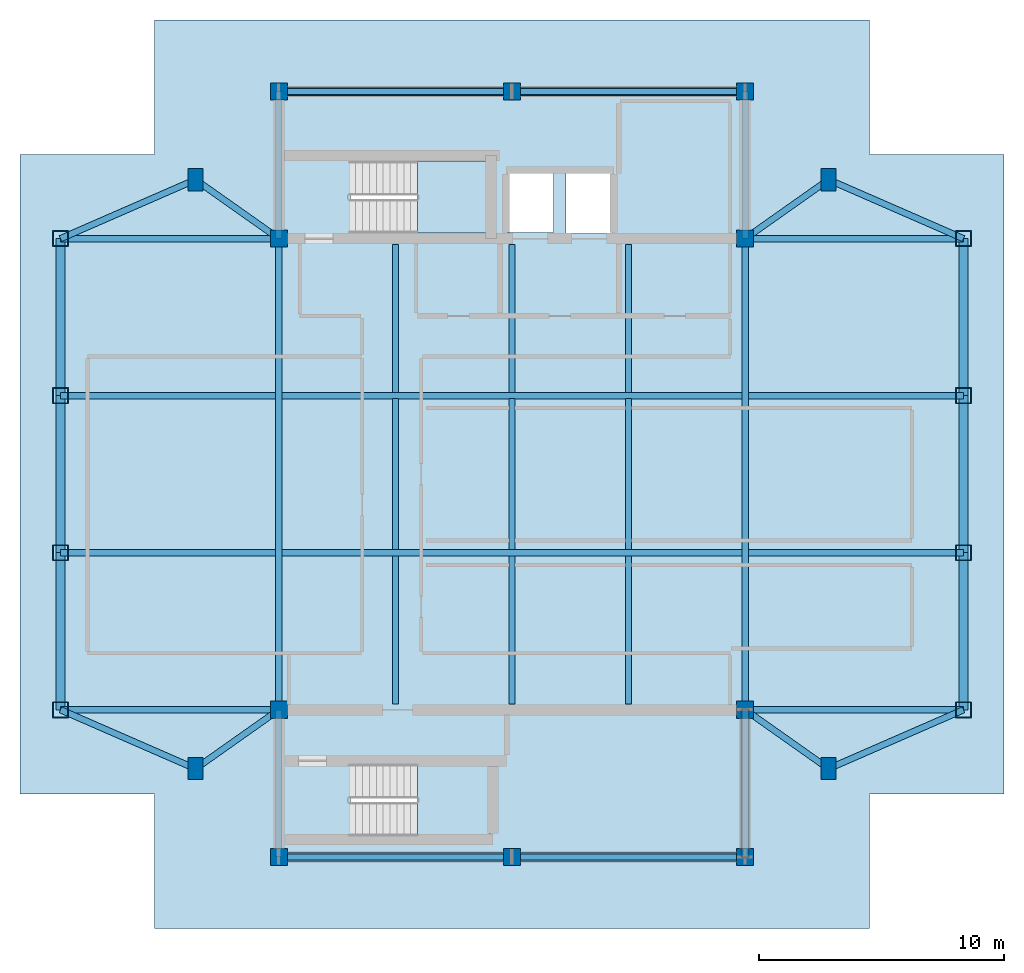
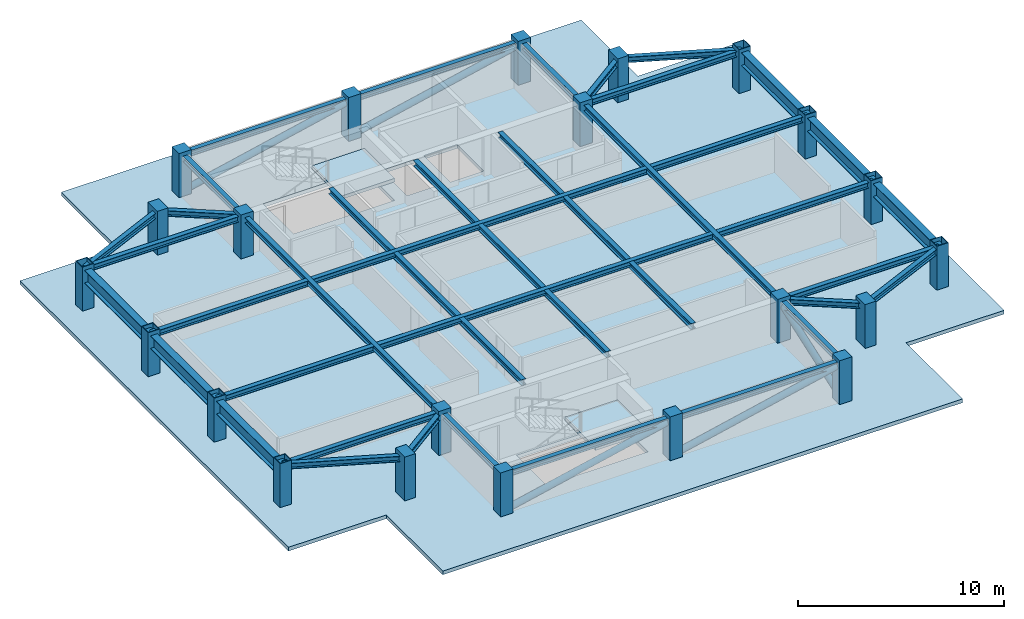
# One storey, part 1 of 4: 43 beams, 22 columns, 5 members, 3 slabs, 2 elements without a shape of their own.
"""IFC4 building model written with IfcOpenShell, lengths in metres."""

import ifcopenshell
import ifcopenshell.guid

model = None  # the IFC model being written
_history = None  # IfcOwnerHistory: only IFC2X3 demands one
_inside = {}  # id of a spatial element -> (the spatial element, [elements in it])
_under = {}  # id of a project, library or spatial element -> (it, [spatial elements below it])
_declared = {}  # id of a project -> (the project, [libraries it declares])
_typed = {}  # id of a type object -> (the type object, [elements of that type])
_made_of = {}  # id of a material, layer set ... -> (it, [elements and type objects made of it])


def new_model(schema):
    """Start an empty IFC model of exactly this schema.

    Asked for "IFC4X3", IfcOpenShell would pick the latest addendum, in which some entities
    have other attributes; the version numbers below select the first issue.
    IFC2X3 requires an IfcOwnerHistory on every rooted entity: one is made here for all.
    """
    global model, _history
    if schema == "IFC4X3":
        model = ifcopenshell.file(schema_version=(4, 3, 0, 0))
    else:
        model = ifcopenshell.file(schema=schema)
    _inside.clear()
    _under.clear()
    _declared.clear()
    _typed.clear()
    _made_of.clear()
    _history = None
    if model.schema == "IFC2X3":
        org = make("IfcOrganization", Name="unknown")
        user = make(
            "IfcPersonAndOrganization",
            ThePerson=make("IfcPerson", FamilyName="unknown"),
            TheOrganization=org,
        )
        app = make(
            "IfcApplication",
            ApplicationDeveloper=org,
            Version="unknown",
            ApplicationFullName="unknown",
            ApplicationIdentifier="unknown",
        )
        _history = make(
            "IfcOwnerHistory",
            OwningUser=user,
            OwningApplication=app,
            ChangeAction="ADDED",
            CreationDate=0,
        )
    return model


def make(cls, **values):
    """One entity of the class cls with the attributes given. An attribute that is None is left unset."""
    return model.create_entity(
        cls, **{name: value for name, value in values.items() if value is not None}
    )


def rooted(cls, **values):
    """An entity with a GlobalId (a new one), such as an element, a storey or a relation."""
    return make(cls, GlobalId=ifcopenshell.guid.new(), OwnerHistory=_history, **values)


def si_unit(unit_type, name, prefix=None):
    """IfcSIUnit, for example si_unit("LENGTHUNIT", "METRE", prefix="MILLI")."""
    return make("IfcSIUnit", UnitType=unit_type, Prefix=prefix, Name=name)


def assignment(units):
    """IfcUnitAssignment: the units of a project."""
    return None if units is None else make("IfcUnitAssignment", Units=units)


def point(xyz):
    """IfcCartesianPoint."""
    return None if xyz is None else make("IfcCartesianPoint", Coordinates=xyz)


def direction(xyz):
    """IfcDirection."""
    return None if xyz is None else make("IfcDirection", DirectionRatios=xyz)


def frame(location, z_axis=None, x_axis=None):
    """IfcAxis2Placement3D, a coordinate frame: its origin and axes. An axis left out is left unset."""
    return make(
        "IfcAxis2Placement3D",
        Location=point(location),
        Axis=direction(z_axis),
        RefDirection=direction(x_axis),
    )


def frame_2d(location, x_axis=None):
    """IfcAxis2Placement2D, a coordinate frame in the plane: its origin and x axis."""
    return make(
        "IfcAxis2Placement2D", Location=point(location), RefDirection=direction(x_axis)
    )


def origin():
    """The frame at (0, 0, 0) with its axes left unset."""
    return frame((0.0, 0.0, 0.0))


def origin_2d():
    """The frame at (0, 0) in the plane with its x axis left unset."""
    return frame_2d((0.0, 0.0))


def place(relative_to, where):
    """IfcLocalPlacement: puts the frame where relative to a parent placement (None: the world)."""
    return make(
        "IfcLocalPlacement", PlacementRelTo=relative_to, RelativePlacement=where
    )


def context(
    kind, dimensions, precision=None, world=None, true_north=None, identifier=None
):
    """IfcGeometricRepresentationContext, for example the 3D "Model" context."""
    return make(
        "IfcGeometricRepresentationContext",
        ContextIdentifier=identifier,
        ContextType=kind,
        CoordinateSpaceDimension=dimensions,
        Precision=precision,
        WorldCoordinateSystem=world,
        TrueNorth=true_north,
    )


def subcontext(parent, identifier, kind, view, scale=None):
    """IfcGeometricRepresentationSubContext, for example "Body" below "Model"."""
    return make(
        "IfcGeometricRepresentationSubContext",
        ContextIdentifier=identifier,
        ContextType=kind,
        ParentContext=parent,
        TargetScale=scale,
        TargetView=view,
    )


def project(units=None, contexts=None):
    """IfcProject with its units and contexts."""
    return rooted(
        "IfcProject",
        Name="project",
        RepresentationContexts=contexts,
        UnitsInContext=assignment(units),
    )


def spatial(cls, under=None, at=None, **own):
    """A site, building, storey or space (cls), placed at a placement, below another one or the project."""
    s = rooted(cls, ObjectPlacement=at, **own)
    if under is not None:
        _under.setdefault(under.id(), (under, []))[1].append(s)
    return s


def polyline(points):
    """IfcPolyline through the points."""
    return make("IfcPolyline", Points=[point(p) for p in points])


def profile(cls, at=None, kind="AREA", **sizes):
    """A parametric profile (cls). Its sizes go by their IFC names, for example OverallWidth=200.0."""
    return make(cls, ProfileType=kind, Position=at, **sizes)


def rectangle(**sizes):
    """IfcRectangleProfileDef."""
    return profile("IfcRectangleProfileDef", **sizes)


def hollow_rectangle(**sizes):
    """IfcRectangleHollowProfileDef."""
    return profile("IfcRectangleHollowProfileDef", **sizes)


def hollow_circle(**sizes):
    """IfcCircleHollowProfileDef."""
    return profile("IfcCircleHollowProfileDef", **sizes)


def i_section(**sizes):
    """IfcIShapeProfileDef."""
    return profile("IfcIShapeProfileDef", **sizes)


def outline(outer, holes=None, kind="AREA"):
    """IfcArbitraryClosedProfileDef: a profile drawn as a closed curve; with holes, ...WithVoids."""
    if holes is None:
        return make("IfcArbitraryClosedProfileDef", ProfileType=kind, OuterCurve=outer)
    return make(
        "IfcArbitraryProfileDefWithVoids",
        ProfileType=kind,
        OuterCurve=outer,
        InnerCurves=holes,
    )


def extrude(swept, where, along, depth):
    """IfcExtrudedAreaSolid: the profile swept, set in the frame where, extruded along a direction by depth."""
    return make(
        "IfcExtrudedAreaSolid",
        SweptArea=swept,
        Position=where,
        ExtrudedDirection=direction(along),
        Depth=depth,
    )


def shape(context_of_items, identifier, shape_type, items):
    """IfcShapeRepresentation: the items that make up one representation, for example the "Body"."""
    return make(
        "IfcShapeRepresentation",
        ContextOfItems=context_of_items,
        RepresentationIdentifier=identifier,
        RepresentationType=shape_type,
        Items=items,
    )


def material(Name=None, Category=None):
    """IfcMaterial."""
    return make("IfcMaterial", Name=Name, Category=Category)


def layer(
    of_material, thickness, ventilated=None, Name=None, Category=None, Priority=None
):
    """IfcMaterialLayer: one layer of a wall or slab, of a material (None: an air gap)."""
    return make(
        "IfcMaterialLayer",
        Material=of_material,
        LayerThickness=thickness,
        IsVentilated=ventilated,
        Name=Name,
        Category=Category,
        Priority=Priority,
    )


def layer_set(layers, Name=None):
    """IfcMaterialLayerSet."""
    return make("IfcMaterialLayerSet", MaterialLayers=layers, LayerSetName=Name)


def material_profile(
    of_material, cross_section, Name=None, Category=None, Priority=None
):
    """IfcMaterialProfile: a cross section and its material."""
    return make(
        "IfcMaterialProfile",
        Name=Name,
        Material=of_material,
        Profile=cross_section,
        Priority=Priority,
        Category=Category,
    )


def profile_set(profiles, Name=None, composite=None):
    """IfcMaterialProfileSet."""
    return make(
        "IfcMaterialProfileSet",
        Name=Name,
        MaterialProfiles=profiles,
        CompositeProfile=composite,
    )


def made_of(thing, what):
    """Note that an element or type object is made of a material, layer set ...; save() writes the relation."""
    if what is not None:
        _made_of.setdefault(what.id(), (what, []))[1].append(thing)
    return thing


def type_object(cls, material=None, **own):
    """A type object (cls), such as IfcWallType, which elements share."""
    return made_of(rooted(cls, **own), material)


def element(
    cls,
    number,
    at=None,
    inside=None,
    cuts=None,
    type_object=None,
    material=None,
    context=None,
    identifier="Body",
    shape_type=None,
    held_by="IfcProductDefinitionShape",
    body=None,
    shapes=None,
    **own,
):
    """One element of the class cls, such as IfcWall. Its Tag is "e" and its number.

    at: its placement. inside: the storey or other place that contains it. cuts: it is an
    opening in that element (IfcRelVoidsElement). A single representation is given by context,
    identifier, shape_type and body (its items); several are given by shapes. held_by: the class
    of the entity that holds the representations. save() writes the other relations.
    """
    e = rooted(cls, Tag="e%d" % number, ObjectPlacement=at, **own)
    if body is not None:
        shapes = [shape(context, identifier, shape_type, body)]
    if shapes is not None:
        e.Representation = make(held_by, Representations=shapes)
    if inside is not None:
        _inside.setdefault(inside.id(), (inside, []))[1].append(e)
    if cuts is not None:
        rooted(
            "IfcRelVoidsElement", RelatingBuildingElement=cuts, RelatedOpeningElement=e
        )
    if type_object is not None:
        _typed.setdefault(type_object.id(), (type_object, []))[1].append(e)
    return made_of(e, material)


def aggregate(whole, parts):
    """IfcRelAggregates: a whole, such as a stair, and the parts it consists of."""
    return rooted("IfcRelAggregates", RelatingObject=whole, RelatedObjects=parts)


def save(model, path):
    """Write the relations noted so far, then the file.

    IfcRelAggregates (storeys below a building ...), IfcRelContainedInSpatialStructure (elements
    in a storey), IfcRelDefinesByType, IfcRelAssociatesMaterial and IfcRelDeclares: one each for
    every whole, place, type object, material and project.
    """
    for whole, parts in _under.values():
        aggregate(whole, parts)
    for where, things in _inside.values():
        rooted(
            "IfcRelContainedInSpatialStructure",
            RelatedElements=things,
            RelatingStructure=where,
        )
    for kind, things in _typed.values():
        rooted("IfcRelDefinesByType", RelatedObjects=things, RelatingType=kind)
    for what, things in _made_of.values():
        rooted("IfcRelAssociatesMaterial", RelatedObjects=things, RelatingMaterial=what)
    for by, libraries in _declared.values():
        rooted("IfcRelDeclares", RelatingContext=by, RelatedDefinitions=libraries)
    model.write(path)


model = new_model("IFC4")

# Units and contexts
model_context = context("Model", 3, precision=1e-05, world=origin(), true_north=direction((0.0, 1.0)))
body_context = subcontext(model_context, "Body", "Model", "MODEL_VIEW")
ifc_project = project(units=[si_unit("LENGTHUNIT", "METRE"), si_unit("AREAUNIT", "SQUARE_METRE"), si_unit("VOLUMEUNIT", "CUBIC_METRE"), si_unit("PLANEANGLEUNIT", "RADIAN"), si_unit("MASSUNIT", "GRAM", prefix="KILO")], contexts=[model_context])

# Site, building, storey
site_placement = place(None, origin())
site = spatial("IfcSite", under=ifc_project, at=site_placement, CompositionType="ELEMENT")
building_placement = place(site_placement, origin())
building = spatial("IfcBuilding", under=site, at=building_placement, Name="Mirazonda Arch Towers", CompositionType="ELEMENT")
storey_placement = place(building_placement, frame((0.0, 0.0, 266.10009765625)))
storey = spatial("IfcBuildingStorey", under=building, at=storey_placement, Name="L76", CompositionType="ELEMENT", Elevation=266.10009765625)

# Columns
ifc_material_1 = material(Name="Concrete C50/60", Category="concrete")
ifc_material_profile_1 = material_profile(ifc_material_1, rectangle(XDim=0.699951171875, YDim=0.699951171875, at=origin_2d()), Name="RC700x700")
ifc_profile_set_1 = profile_set([ifc_material_profile_1], Name="Concrete C50/60")
column_type_1 = type_object("IfcColumnType", Name="COL-INT-RC700x700", PredefinedType="COLUMN", material=ifc_profile_set_1)
for number, where, z_axis, x_axis, name in (
    (1, (11.0, 12.39990234375, 0.0), (0.0, 0.0, 1.0), (1.0, 0.0, 0.0), "L76 T1 Core Column 01"),
    (2, (20.5, 12.39990234375, 0.0), (0.0, 0.0, 1.0), (1.0, 0.0, 0.0), "L76 T1 Core Column 02"),
    (3, (30.0, 12.39990234375, 0.0), (0.0, 0.0, 1.0), (1.0, 0.0, 0.0), "L76 T1 Core Column 03"),
    (4, (11.0, 18.39990234375, 0.0), (0.0, 0.0, 1.0), (1.0, 0.0, 0.0), "L76 T1 Core Column 04"),
    (5, (30.0, 18.39990234375, 0.0), (0.0, 0.0, 1.0), (1.0, 0.0, 0.0), "L76 T1 Core Column 05"),
    (6, (11.0, 37.60009765625, 0.0), (0.0, 0.0, 1.0), (1.0, 0.0, 0.0), "L76 T1 Core Column 06"),
    (7, (30.0, 37.60009765625, 0.0), (0.0, 0.0, 1.0), (1.0, 0.0, 0.0), "L76 T1 Core Column 07"),
    (8, (11.0, 43.60009765625, 0.0), (0.0, 0.0, 1.0), (1.0, 0.0, 0.0), "L76 T1 Core Column 08"),
    (9, (20.5, 43.60009765625, 0.0), (0.0, 0.0, 1.0), (1.0, 0.0, 0.0), "L76 T1 Core Column 09"),
    (10, (30.0, 43.60009765625, 0.0), (0.0, 0.0, 1.0), (1.0, 0.0, 0.0), "L76 T1 Core Column 10"),
):
    element("IfcColumn", number, at=place(storey_placement, frame(where, z_axis=z_axis, x_axis=x_axis)), inside=storey, type_object=column_type_1, Name=name, PredefinedType="COLUMN", context=body_context, shape_type="SweptSolid", body=[
        extrude(rectangle(XDim=0.699951171875, YDim=0.699951171875, at=origin_2d()), origin(), (0.0, 0.0, 1.0), 2.599853515625),
    ])
ifc_material_2 = material(Name="Steel ASTM A572 Grade 50", Category="steel")
ifc_material_profile_2 = material_profile(ifc_material_2, hollow_rectangle(XDim=0.64990234375, YDim=0.64990234375, WallThickness=0.035888671875, at=origin_2d()), Name="BOX650x650x36")
ifc_profile_set_2 = profile_set([ifc_material_profile_2], Name="Steel ASTM A572 Grade 50")
column_type_2 = type_object("IfcColumnType", Name="MCOL-EXT-BOX650x650x36", PredefinedType="COLUMN", material=ifc_profile_set_2)
for number, where, z_axis, x_axis, name in (
    (11, (2.10009765625, 18.39990234375, 0.0), (0.0, 0.0, 1.0), (1.0, 0.0, 0.0), "L76 T1 Composite Mega-Column 01"),
    (12, (2.10009765625, 24.800048828125, 0.0), (0.0, 0.0, 1.0), (1.0, 0.0, 0.0), "L76 T1 Composite Mega-Column 02"),
    (13, (2.10009765625, 31.199951171875, 0.0), (0.0, 0.0, 1.0), (1.0, 0.0, 0.0), "L76 T1 Composite Mega-Column 03"),
    (14, (2.10009765625, 37.60009765625, 0.0), (0.0, 0.0, 1.0), (1.0, 0.0, 0.0), "L76 T1 Composite Mega-Column 04"),
    (15, (38.89990234375, 18.39990234375, 0.0), (0.0, 0.0, 1.0), (1.0, 0.0, 0.0), "L76 T1 Composite Mega-Column 05"),
    (16, (38.89990234375, 24.800048828125, 0.0), (0.0, 0.0, 1.0), (1.0, 0.0, 0.0), "L76 T1 Composite Mega-Column 06"),
    (17, (38.89990234375, 31.199951171875, 0.0), (0.0, 0.0, 1.0), (1.0, 0.0, 0.0), "L76 T1 Composite Mega-Column 07"),
    (18, (38.89990234375, 37.60009765625, 0.0), (0.0, 0.0, 1.0), (1.0, 0.0, 0.0), "L76 T1 Composite Mega-Column 08"),
):
    element("IfcColumn", number, at=place(storey_placement, frame(where, z_axis=z_axis, x_axis=x_axis)), inside=storey, type_object=column_type_2, Name=name, PredefinedType="COLUMN", context=body_context, shape_type="SweptSolid", body=[
        extrude(hollow_rectangle(XDim=0.64990234375, YDim=0.64990234375, WallThickness=0.035888671875, at=origin_2d()), origin(), (0.0, 0.0, 1.0), 2.599853515625),
    ])
ifc_material_profile_3 = material_profile(ifc_material_1, rectangle(XDim=0.60009765625, YDim=0.89990234375, at=origin_2d()), Name="RC900x600")
ifc_profile_set_3 = profile_set([ifc_material_profile_3], Name="Concrete C50/60")
column_type_3 = type_object("IfcColumnType", Name="PIL-EXT-RC900x600", PredefinedType="PILASTER", material=ifc_profile_set_3)
for number, where, z_axis, x_axis, name in (
    (19, (7.60009765625, 16.0, 0.0), (0.0, 0.0, 1.0), (1.0, 0.0, 0.0), "L76 T1 Corner Pilaster 01"),
    (20, (33.39990234375, 16.0, 0.0), (0.0, 0.0, 1.0), (1.0, 0.0, 0.0), "L76 T1 Corner Pilaster 02"),
    (21, (7.60009765625, 40.0, 0.0), (0.0, 0.0, 1.0), (1.0, 0.0, 0.0), "L76 T1 Corner Pilaster 03"),
    (22, (33.39990234375, 40.0, 0.0), (0.0, 0.0, 1.0), (1.0, 0.0, 0.0), "L76 T1 Corner Pilaster 04"),
):
    element("IfcColumn", number, at=place(storey_placement, frame(where, z_axis=z_axis, x_axis=x_axis)), inside=storey, type_object=column_type_3, Name=name, PredefinedType="PILASTER", context=body_context, shape_type="SweptSolid", body=[
        extrude(rectangle(XDim=0.60009765625, YDim=0.89990234375, at=origin_2d()), origin(), (0.0, 0.0, 1.0), 2.599853515625),
    ])

# Beams
ifc_material_3 = material(Name="Steel ASTM A992 Grade 50", Category="steel")
ifc_material_profile_4 = material_profile(ifc_material_3, i_section(OverallWidth=0.381103515625, OverallDepth=0.77294921875, WebThickness=0.0166015625, FlangeThickness=0.027099609375, at=origin_2d()), Name="W30X173")
ifc_profile_set_4 = profile_set([ifc_material_profile_4], Name="Steel ASTM A992 Grade 50")
beam_type_1 = type_object("IfcBeamType", Name="BM-EXT-W30X173", PredefinedType="USERDEFINED", material=ifc_profile_set_4)
beam_1_placement = place(storey_placement, frame((2.10009765625, 18.39990234375, 1.993408203125), z_axis=(0.0, 1.0, 0.0), x_axis=(-1.0, 0.0, 0.0)))
element("IfcBeam", 23, at=beam_1_placement, inside=storey, type_object=beam_type_1, Name="L76 Floor Beam BMC-T1-L76-NS-W-18", ObjectType="GIRDER", PredefinedType="USERDEFINED", context=body_context, shape_type="SweptSolid", body=[
    extrude(i_section(OverallWidth=0.381103515625, OverallDepth=0.77294921875, WebThickness=0.0166015625, FlangeThickness=0.027099609375, at=origin_2d()), origin(), (0.0, 0.0, 1.0), 6.400146484375),
])
beam_2_placement = place(storey_placement, frame((2.10009765625, 24.800048828125, 1.993408203125), z_axis=(0.0, 1.0, 0.0), x_axis=(-1.0, 0.0, 0.0)))
element("IfcBeam", 24, at=beam_2_placement, inside=storey, type_object=beam_type_1, Name="L76 Floor Beam BMC-T1-L76-NS-W-24", ObjectType="GIRDER", PredefinedType="USERDEFINED", context=body_context, shape_type="SweptSolid", body=[
    extrude(i_section(OverallWidth=0.381103515625, OverallDepth=0.77294921875, WebThickness=0.0166015625, FlangeThickness=0.027099609375, at=origin_2d()), origin(), (0.0, 0.0, 1.0), 6.39990234375),
])
for number, where, z_axis, x_axis, name in (
    (25, (2.10009765625, 31.199951171875, 1.993408203125), (0.0, 1.0, 0.0), (-1.0, 0.0, 0.0), "L76 Floor Beam BMC-T1-L76-NS-W-31"),
    (26, (38.89990234375, 18.39990234375, 1.993408203125), (0.0, 1.0, 0.0), (-1.0, 0.0, 0.0), "L76 Floor Beam BMC-T1-L76-NS-E-18"),
):
    element("IfcBeam", number, at=place(storey_placement, frame(where, z_axis=z_axis, x_axis=x_axis)), inside=storey, type_object=beam_type_1, Name=name, ObjectType="GIRDER", PredefinedType="USERDEFINED", context=body_context, shape_type="SweptSolid", body=[
        extrude(i_section(OverallWidth=0.381103515625, OverallDepth=0.77294921875, WebThickness=0.0166015625, FlangeThickness=0.027099609375, at=origin_2d()), origin(), (0.0, 0.0, 1.0), 6.400146484375),
    ])
beam_3_placement = place(storey_placement, frame((38.89990234375, 24.800048828125, 1.993408203125), z_axis=(0.0, 1.0, 0.0), x_axis=(-1.0, 0.0, 0.0)))
element("IfcBeam", 27, at=beam_3_placement, inside=storey, type_object=beam_type_1, Name="L76 Floor Beam BMC-T1-L76-NS-E-24", ObjectType="GIRDER", PredefinedType="USERDEFINED", context=body_context, shape_type="SweptSolid", body=[
    extrude(i_section(OverallWidth=0.381103515625, OverallDepth=0.77294921875, WebThickness=0.0166015625, FlangeThickness=0.027099609375, at=origin_2d()), origin(), (0.0, 0.0, 1.0), 6.39990234375),
])
beam_4_placement = place(storey_placement, frame((38.89990234375, 31.199951171875, 1.993408203125), z_axis=(0.0, 1.0, 0.0), x_axis=(-1.0, 0.0, 0.0)))
element("IfcBeam", 28, at=beam_4_placement, inside=storey, type_object=beam_type_1, Name="L76 Floor Beam BMC-T1-L76-NS-E-31", ObjectType="GIRDER", PredefinedType="USERDEFINED", context=body_context, shape_type="SweptSolid", body=[
    extrude(i_section(OverallWidth=0.381103515625, OverallDepth=0.77294921875, WebThickness=0.0166015625, FlangeThickness=0.027099609375, at=origin_2d()), origin(), (0.0, 0.0, 1.0), 6.400146484375),
])
ifc_material_profile_5 = material_profile(ifc_material_3, i_section(OverallWidth=0.257080078125, OverallDepth=0.330078125, WebThickness=0.011962890625, FlangeThickness=0.01953125, at=origin_2d()), Name="W10X68")
ifc_profile_set_5 = profile_set([ifc_material_profile_5], Name="Steel ASTM A992 Grade 50")
beam_type_2 = type_object("IfcBeamType", Name="BM-INT-W10X68", PredefinedType="BEAM", material=ifc_profile_set_5)
for number, where, z_axis, x_axis, name in (
    (29, (2.10009765625, 37.60009765625, 2.21484375), (1.0, 0.0, 0.0), (0.0, 1.0, 0.0), "L76 Floor Beam CBC-T1-L76-NW"),
    (30, (30.0, 37.60009765625, 2.21484375), (1.0, 0.0, 0.0), (0.0, 1.0, 0.0), "L76 Floor Beam CBC-T1-L76-NE"),
    (31, (2.10009765625, 18.39990234375, 2.21484375), (1.0, 0.0, 0.0), (0.0, 1.0, 0.0), "L76 Floor Beam CBC-T1-L76-SW"),
    (32, (30.0, 18.39990234375, 2.21484375), (1.0, 0.0, 0.0), (0.0, 1.0, 0.0), "L76 Floor Beam CBC-T1-L76-SE"),
):
    element("IfcBeam", number, at=place(storey_placement, frame(where, z_axis=z_axis, x_axis=x_axis)), inside=storey, type_object=beam_type_2, Name=name, PredefinedType="BEAM", context=body_context, shape_type="SweptSolid", body=[
        extrude(i_section(OverallWidth=0.257080078125, OverallDepth=0.330078125, WebThickness=0.011962890625, FlangeThickness=0.01953125, at=origin_2d()), origin(), (0.0, 0.0, 1.0), 8.89990234375),
    ])
beam_5_placement = place(storey_placement, frame((11.12841796875, 24.800048828125, 2.21484375), z_axis=(1.0, 0.0, 0.0), x_axis=(0.0, 1.0, 0.0)))
element("IfcBeam", 33, at=beam_5_placement, inside=storey, type_object=beam_type_2, Name="L76 Floor Beam BMC-T1-L76-GC2", PredefinedType="BEAM", context=body_context, shape_type="SweptSolid", body=[
    extrude(i_section(OverallWidth=0.257080078125, OverallDepth=0.330078125, WebThickness=0.011962890625, FlangeThickness=0.01953125, at=origin_2d()), origin(), (0.0, 0.0, 1.0), 18.7431640625),
])
for number, where, z_axis, x_axis, name in (
    (34, (2.10009765625, 24.800048828125, 2.21484375), (1.0, 0.0, 0.0), (0.0, 1.0, 0.0), "L76 Floor Beam BMC-T1-L76-GW2"),
    (35, (30.12841796875, 24.800048828125, 2.21484375), (1.0, 0.0, 0.0), (0.0, 1.0, 0.0), "L76 Floor Beam BMC-T1-L76-GE2"),
):
    element("IfcBeam", number, at=place(storey_placement, frame(where, z_axis=z_axis, x_axis=x_axis)), inside=storey, type_object=beam_type_2, Name=name, PredefinedType="BEAM", context=body_context, shape_type="SweptSolid", body=[
        extrude(i_section(OverallWidth=0.257080078125, OverallDepth=0.330078125, WebThickness=0.011962890625, FlangeThickness=0.01953125, at=origin_2d()), origin(), (0.0, 0.0, 1.0), 8.771484375),
    ])
beam_6_placement = place(storey_placement, frame((11.12841796875, 31.199951171875, 2.21484375), z_axis=(1.0, 0.0, 0.0), x_axis=(0.0, 1.0, 0.0)))
element("IfcBeam", 36, at=beam_6_placement, inside=storey, type_object=beam_type_2, Name="L76 Floor Beam BMC-T1-L76-GC3", PredefinedType="BEAM", context=body_context, shape_type="SweptSolid", body=[
    extrude(i_section(OverallWidth=0.257080078125, OverallDepth=0.330078125, WebThickness=0.011962890625, FlangeThickness=0.01953125, at=origin_2d()), origin(), (0.0, 0.0, 1.0), 18.7431640625),
])
for number, where, z_axis, x_axis, name in (
    (37, (2.10009765625, 31.199951171875, 2.21484375), (1.0, 0.0, 0.0), (0.0, 1.0, 0.0), "L76 Floor Beam BMC-T1-L76-GW3"),
    (38, (30.12841796875, 31.199951171875, 2.21484375), (1.0, 0.0, 0.0), (0.0, 1.0, 0.0), "L76 Floor Beam BMC-T1-L76-GE3"),
):
    element("IfcBeam", number, at=place(storey_placement, frame(where, z_axis=z_axis, x_axis=x_axis)), inside=storey, type_object=beam_type_2, Name=name, PredefinedType="BEAM", context=body_context, shape_type="SweptSolid", body=[
        extrude(i_section(OverallWidth=0.257080078125, OverallDepth=0.330078125, WebThickness=0.011962890625, FlangeThickness=0.01953125, at=origin_2d()), origin(), (0.0, 0.0, 1.0), 8.771484375),
    ])
for number, where, z_axis, x_axis, name in (
    (39, (11.0, 12.39990234375, 2.21484375), (1.0, 0.0, 0.0), (0.0, 1.0, 0.0), "L76 Floor Beam BMC-T1-L76-CS1"),
    (40, (20.5, 12.39990234375, 2.21484375), (1.0, 0.0, 0.0), (0.0, 1.0, 0.0), "L76 Floor Beam BMC-T1-L76-CS2"),
    (41, (11.0, 43.60009765625, 2.21484375), (1.0, 0.0, 0.0), (0.0, 1.0, 0.0), "L76 Floor Beam BMC-T1-L76-CN1"),
    (42, (20.5, 43.60009765625, 2.21484375), (1.0, 0.0, 0.0), (0.0, 1.0, 0.0), "L76 Floor Beam BMC-T1-L76-CN2"),
):
    element("IfcBeam", number, at=place(storey_placement, frame(where, z_axis=z_axis, x_axis=x_axis)), inside=storey, type_object=beam_type_2, Name=name, PredefinedType="BEAM", context=body_context, shape_type="SweptSolid", body=[
        extrude(i_section(OverallWidth=0.257080078125, OverallDepth=0.330078125, WebThickness=0.011962890625, FlangeThickness=0.01953125, at=origin_2d()), origin(), (0.0, 0.0, 1.0), 9.5),
    ])
for number, where, z_axis, x_axis, name in (
    (43, (11.0, 12.39990234375, 2.21484375), (0.0, 1.0, 0.0), (-1.0, 0.0, 0.0), "L76 Floor Beam BMC-T1-L76-CSW"),
    (44, (30.0, 12.39990234375, 2.21484375), (0.0, 1.0, 0.0), (-1.0, 0.0, 0.0), "L76 Floor Beam BMC-T1-L76-CSE"),
    (45, (11.0, 37.60009765625, 2.21484375), (0.0, 1.0, 0.0), (-1.0, 0.0, 0.0), "L76 Floor Beam BMC-T1-L76-CNW"),
    (46, (30.0, 37.60009765625, 2.21484375), (0.0, 1.0, 0.0), (-1.0, 0.0, 0.0), "L76 Floor Beam BMC-T1-L76-CNE"),
):
    element("IfcBeam", number, at=place(storey_placement, frame(where, z_axis=z_axis, x_axis=x_axis)), inside=storey, type_object=beam_type_2, Name=name, PredefinedType="BEAM", context=body_context, shape_type="SweptSolid", body=[
        extrude(i_section(OverallWidth=0.257080078125, OverallDepth=0.330078125, WebThickness=0.011962890625, FlangeThickness=0.01953125, at=origin_2d()), origin(), (0.0, 0.0, 1.0), 6.0),
    ])
for number, where, z_axis, x_axis, name in (
    (47, (11.0, 18.39990234375, 2.21484375), (0.0, 1.0, 0.0), (-1.0, 0.0, 0.0), "L76 Floor Beam BMC-T1-L76-NS-CW-FULL"),
    (48, (30.0, 18.39990234375, 2.21484375), (0.0, 1.0, 0.0), (-1.0, 0.0, 0.0), "L76 Floor Beam BMC-T1-L76-NS-CE-FULL"),
):
    element("IfcBeam", number, at=place(storey_placement, frame(where, z_axis=z_axis, x_axis=x_axis)), inside=storey, type_object=beam_type_2, Name=name, PredefinedType="BEAM", context=body_context, shape_type="SweptSolid", body=[
        extrude(i_section(OverallWidth=0.257080078125, OverallDepth=0.330078125, WebThickness=0.011962890625, FlangeThickness=0.01953125, at=origin_2d()), origin(), (0.0, 0.0, 1.0), 19.2001953125),
    ])
beam_7_placement = place(storey_placement, frame((7.60009765625, 16.0, 2.21484375), z_axis=(0.816971114901, 0.576678591087, 0.0), x_axis=(-0.576678591087, 0.816971114901, 0.0)))
element("IfcBeam", 49, at=beam_7_placement, inside=storey, type_object=beam_type_2, Name="L76 Floor Beam BMC-T1-L76-PL-SW1", PredefinedType="BEAM", context=body_context, shape_type="SweptSolid", body=[
    extrude(i_section(OverallWidth=0.257080078125, OverallDepth=0.330078125, WebThickness=0.011962890625, FlangeThickness=0.01953125, at=origin_2d()), origin(), (0.0, 0.0, 1.0), 4.16162109375),
])
beam_8_placement = place(storey_placement, frame((7.60009765625, 16.0, 2.21484375), z_axis=(-0.916545343703, 0.399930785183, 0.0), x_axis=(-0.399930785183, -0.916545343703, 0.0)))
element("IfcBeam", 50, at=beam_8_placement, inside=storey, type_object=beam_type_2, Name="L76 Floor Beam BMC-T1-L76-PL-SW2", PredefinedType="BEAM", context=body_context, shape_type="SweptSolid", body=[
    extrude(i_section(OverallWidth=0.257080078125, OverallDepth=0.330078125, WebThickness=0.011962890625, FlangeThickness=0.01953125, at=origin_2d()), origin(), (0.0, 0.0, 1.0), 6.000732421875),
])
beam_9_placement = place(storey_placement, frame((33.39990234375, 16.0, 2.21484375), z_axis=(-0.816971114901, 0.576678591087, 0.0), x_axis=(-0.576678591087, -0.816971114901, 0.0)))
element("IfcBeam", 51, at=beam_9_placement, inside=storey, type_object=beam_type_2, Name="L76 Floor Beam BMC-T1-L76-PL-SE1", PredefinedType="BEAM", context=body_context, shape_type="SweptSolid", body=[
    extrude(i_section(OverallWidth=0.257080078125, OverallDepth=0.330078125, WebThickness=0.011962890625, FlangeThickness=0.01953125, at=origin_2d()), origin(), (0.0, 0.0, 1.0), 4.16162109375),
])
beam_10_placement = place(storey_placement, frame((33.39990234375, 16.0, 2.21484375), z_axis=(0.916545343703, 0.399930785183, 0.0), x_axis=(-0.399930785183, 0.916545343703, 0.0)))
element("IfcBeam", 52, at=beam_10_placement, inside=storey, type_object=beam_type_2, Name="L76 Floor Beam BMC-T1-L76-PL-SE2", PredefinedType="BEAM", context=body_context, shape_type="SweptSolid", body=[
    extrude(i_section(OverallWidth=0.257080078125, OverallDepth=0.330078125, WebThickness=0.011962890625, FlangeThickness=0.01953125, at=origin_2d()), origin(), (0.0, 0.0, 1.0), 6.000732421875),
])
beam_11_placement = place(storey_placement, frame((7.60009765625, 40.0, 2.21484375), z_axis=(0.816971114901, -0.576678591087, 0.0), x_axis=(0.576678591087, 0.816971114901, 0.0)))
element("IfcBeam", 53, at=beam_11_placement, inside=storey, type_object=beam_type_2, Name="L76 Floor Beam BMC-T1-L76-PL-NW1", PredefinedType="BEAM", context=body_context, shape_type="SweptSolid", body=[
    extrude(i_section(OverallWidth=0.257080078125, OverallDepth=0.330078125, WebThickness=0.011962890625, FlangeThickness=0.01953125, at=origin_2d()), origin(), (0.0, 0.0, 1.0), 4.16162109375),
])
beam_12_placement = place(storey_placement, frame((7.60009765625, 40.0, 2.21484375), z_axis=(-0.916545343703, -0.399930785183, 0.0), x_axis=(0.399930785183, -0.916545343703, 0.0)))
element("IfcBeam", 54, at=beam_12_placement, inside=storey, type_object=beam_type_2, Name="L76 Floor Beam BMC-T1-L76-PL-NW2", PredefinedType="BEAM", context=body_context, shape_type="SweptSolid", body=[
    extrude(i_section(OverallWidth=0.257080078125, OverallDepth=0.330078125, WebThickness=0.011962890625, FlangeThickness=0.01953125, at=origin_2d()), origin(), (0.0, 0.0, 1.0), 6.000732421875),
])
beam_13_placement = place(storey_placement, frame((33.39990234375, 40.0, 2.21484375), z_axis=(-0.816971114901, -0.576678591087, 0.0), x_axis=(0.576678591087, -0.816971114901, 0.0)))
element("IfcBeam", 55, at=beam_13_placement, inside=storey, type_object=beam_type_2, Name="L76 Floor Beam BMC-T1-L76-PL-NE1", PredefinedType="BEAM", context=body_context, shape_type="SweptSolid", body=[
    extrude(i_section(OverallWidth=0.257080078125, OverallDepth=0.330078125, WebThickness=0.011962890625, FlangeThickness=0.01953125, at=origin_2d()), origin(), (0.0, 0.0, 1.0), 4.16162109375),
])
beam_14_placement = place(storey_placement, frame((33.39990234375, 40.0, 2.21484375), z_axis=(0.916545343703, -0.399930785183, 0.0), x_axis=(0.399930785183, 0.916545343703, 0.0)))
element("IfcBeam", 56, at=beam_14_placement, inside=storey, type_object=beam_type_2, Name="L76 Floor Beam BMC-T1-L76-PL-NE2", PredefinedType="BEAM", context=body_context, shape_type="SweptSolid", body=[
    extrude(i_section(OverallWidth=0.257080078125, OverallDepth=0.330078125, WebThickness=0.011962890625, FlangeThickness=0.01953125, at=origin_2d()), origin(), (0.0, 0.0, 1.0), 6.000732421875),
])
for number, where, z_axis, x_axis, name in (
    (57, (15.75, 18.639892578125, 2.21484375), (0.0, 1.0, 0.0), (-1.0, 0.0, 0.0), "L76 Floor Beam BMC-T1-L76-J-157-18"),
    (58, (15.75, 31.324462890625, 2.21484375), (0.0, 1.0, 0.0), (-1.0, 0.0, 0.0), "L76 Floor Beam BMC-T1-L76-J-157-31"),
):
    element("IfcBeam", number, at=place(storey_placement, frame(where, z_axis=z_axis, x_axis=x_axis)), inside=storey, type_object=beam_type_2, Name=name, PredefinedType="BEAM", context=body_context, shape_type="SweptSolid", body=[
        extrude(i_section(OverallWidth=0.257080078125, OverallDepth=0.330078125, WebThickness=0.011962890625, FlangeThickness=0.01953125, at=origin_2d()), origin(), (0.0, 0.0, 1.0), 6.03564453125),
    ])
beam_15_placement = place(storey_placement, frame((15.75, 24.924560546875, 2.21484375), z_axis=(0.0, 1.0, 0.0), x_axis=(-1.0, 0.0, 0.0)))
element("IfcBeam", 59, at=beam_15_placement, inside=storey, type_object=beam_type_2, Name="L76 Floor Beam BMC-T1-L76-J-157-24", PredefinedType="BEAM", context=body_context, shape_type="SweptSolid", body=[
    extrude(i_section(OverallWidth=0.257080078125, OverallDepth=0.330078125, WebThickness=0.011962890625, FlangeThickness=0.01953125, at=origin_2d()), origin(), (0.0, 0.0, 1.0), 6.15087890625),
])
for number, where, z_axis, x_axis, name in (
    (60, (20.5, 18.639892578125, 2.21484375), (0.0, 1.0, 0.0), (-1.0, 0.0, 0.0), "L76 Floor Beam BMC-T1-L76-J-205-18"),
    (61, (20.5, 31.324462890625, 2.21484375), (0.0, 1.0, 0.0), (-1.0, 0.0, 0.0), "L76 Floor Beam BMC-T1-L76-J-205-31"),
):
    element("IfcBeam", number, at=place(storey_placement, frame(where, z_axis=z_axis, x_axis=x_axis)), inside=storey, type_object=beam_type_2, Name=name, PredefinedType="BEAM", context=body_context, shape_type="SweptSolid", body=[
        extrude(i_section(OverallWidth=0.257080078125, OverallDepth=0.330078125, WebThickness=0.011962890625, FlangeThickness=0.01953125, at=origin_2d()), origin(), (0.0, 0.0, 1.0), 6.03564453125),
    ])
beam_16_placement = place(storey_placement, frame((20.5, 24.924560546875, 2.21484375), z_axis=(0.0, 1.0, 0.0), x_axis=(-1.0, 0.0, 0.0)))
element("IfcBeam", 62, at=beam_16_placement, inside=storey, type_object=beam_type_2, Name="L76 Floor Beam BMC-T1-L76-J-205-24", PredefinedType="BEAM", context=body_context, shape_type="SweptSolid", body=[
    extrude(i_section(OverallWidth=0.257080078125, OverallDepth=0.330078125, WebThickness=0.011962890625, FlangeThickness=0.01953125, at=origin_2d()), origin(), (0.0, 0.0, 1.0), 6.15087890625),
])
for number, where, z_axis, x_axis, name in (
    (63, (25.25, 18.639892578125, 2.21484375), (0.0, 1.0, 0.0), (-1.0, 0.0, 0.0), "L76 Floor Beam BMC-T1-L76-J-252-18"),
    (64, (25.25, 31.324462890625, 2.21484375), (0.0, 1.0, 0.0), (-1.0, 0.0, 0.0), "L76 Floor Beam BMC-T1-L76-J-252-31"),
):
    element("IfcBeam", number, at=place(storey_placement, frame(where, z_axis=z_axis, x_axis=x_axis)), inside=storey, type_object=beam_type_2, Name=name, PredefinedType="BEAM", context=body_context, shape_type="SweptSolid", body=[
        extrude(i_section(OverallWidth=0.257080078125, OverallDepth=0.330078125, WebThickness=0.011962890625, FlangeThickness=0.01953125, at=origin_2d()), origin(), (0.0, 0.0, 1.0), 6.03564453125),
    ])
beam_17_placement = place(storey_placement, frame((25.25, 24.924560546875, 2.21484375), z_axis=(0.0, 1.0, 0.0), x_axis=(-1.0, 0.0, 0.0)))
element("IfcBeam", 65, at=beam_17_placement, inside=storey, type_object=beam_type_2, Name="L76 Floor Beam BMC-T1-L76-J-252-24", PredefinedType="BEAM", context=body_context, shape_type="SweptSolid", body=[
    extrude(i_section(OverallWidth=0.257080078125, OverallDepth=0.330078125, WebThickness=0.011962890625, FlangeThickness=0.01953125, at=origin_2d()), origin(), (0.0, 0.0, 1.0), 6.15087890625),
])

# Members
ifc_material_profile_6 = material_profile(ifc_material_2, hollow_circle(Radius=0.177978515625, WallThickness=0.01611328125, at=origin_2d()), Name="CROWNBRACE356x16CHS")
ifc_profile_set_6 = profile_set([ifc_material_profile_6], Name="Steel ASTM A572 Grade 50")
member_type = type_object("IfcMemberType", Name="MBR-INT-CROWNBRACE356x16CHS", PredefinedType="BRACE", material=ifc_profile_set_6)
for number, where, z_axis, x_axis, name in (
    (66, (11.0, 12.39990234375, 0.0498046875), (0.976426177942, 0.0, 0.215851613452), (0.0, 1.0, 0.0), "L76 Crown Internal Bracing Strut 1"),
    (67, (20.5, 12.39990234375, 0.0498046875), (0.976426177942, 0.0, 0.215851613452), (0.0, 1.0, 0.0), "L76 Crown Internal Bracing Strut 2"),
    (68, (11.0, 43.60009765625, 0.0498046875), (0.976426177942, 0.0, 0.215851613452), (0.0, 1.0, 0.0), "L76 Crown Internal Bracing Strut 3"),
    (69, (20.5, 43.60009765625, 0.0498046875), (0.976426177942, 0.0, 0.215851613452), (0.0, 1.0, 0.0), "L76 Crown Internal Bracing Strut 4"),
):
    element("IfcMember", number, at=place(storey_placement, frame(where, z_axis=z_axis, x_axis=x_axis)), inside=storey, type_object=member_type, Name=name, PredefinedType="BRACE", context=body_context, shape_type="SweptSolid", body=[
        extrude(hollow_circle(Radius=0.177978515625, WallThickness=0.01611328125, at=origin_2d()), origin(), (0.0, 0.0, 1.0), 9.729248046875),
    ])
member_placement = place(storey_placement, frame((30.0, 12.39990234375, 0.0498046875), z_axis=(0.0, 0.943853566271, 0.330364110395), x_axis=(-1.0, 0.0, 0.0)))
element("IfcMember", 70, at=member_placement, inside=storey, type_object=member_type, Name="L76 Crown Internal Bracing Strut 5", PredefinedType="BRACE", context=body_context, shape_type="SweptSolid", body=[
    extrude(hollow_circle(Radius=0.177978515625, WallThickness=0.01611328125, at=origin_2d()), origin(), (0.0, 0.0, 1.0), 6.35693359375),
])

# Stair, slab
ifc_material_4 = material(Name="Concrete C40/50", Category="concrete")
stair_type = type_object("IfcStairType", Name="STAIR-CORE-1400", PredefinedType="HALF_TURN_STAIR", material=ifc_material_4)
stair_1_placement = place(storey_placement, origin())
stair_1 = element("IfcStair", 71, at=stair_1_placement, inside=storey, type_object=stair_type, Name="L76 Protected Exit Stair ST-T1N", PredefinedType="HALF_TURN_STAIR")
ifc_layer_1 = layer(ifc_material_4, 0.18994140625, Name="SLAB-LANDING-190")
ifc_layer_set_1 = layer_set([ifc_layer_1], Name="Concrete C40/50")
slab_type_1 = type_object("IfcSlabType", Name="SLAB-LANDING-190", PredefinedType="LANDING", material=ifc_layer_set_1)
slab_1_placement = place(storey_placement, frame((0.0, 0.0, 1.099853515625)))
slab_1 = element("IfcSlab", 72, at=slab_1_placement, type_object=slab_type_1, Name="ST-T1N landing 1", PredefinedType="LANDING", context=body_context, shape_type="SweptSolid", body=[
    extrude(outline(polyline([(16.64990234375, 37.820068359375), (19.60009765625, 37.820068359375), (19.60009765625, 40.760009765625), (16.64990234375, 40.760009765625), (16.64990234375, 37.820068359375)])), origin(), (0.0, 0.0, 1.0), 0.199951171875),
])
aggregate(stair_1, [slab_1])

stair_2_placement = place(storey_placement, origin())
stair_2 = element("IfcStair", 73, at=stair_2_placement, inside=storey, type_object=stair_type, Name="L76 Protected Exit Stair ST-T1S", PredefinedType="HALF_TURN_STAIR")
slab_2_placement = place(storey_placement, frame((0.0, 0.0, 1.099853515625)))
slab_2 = element("IfcSlab", 74, at=slab_2_placement, type_object=slab_type_1, Name="ST-T1S landing 1", PredefinedType="LANDING", context=body_context, shape_type="SweptSolid", body=[
    extrude(outline(polyline([(16.64990234375, 13.25), (19.60009765625, 13.25), (19.60009765625, 16.18994140625), (16.64990234375, 16.18994140625), (16.64990234375, 13.25)])), origin(), (0.0, 0.0, 1.0), 0.199951171875),
])
aggregate(stair_2, [slab_2])

# Slab
ifc_layer_2 = layer(ifc_material_4, 0.219970703125, Name="SLAB-TWR-220")
ifc_layer_set_2 = layer_set([ifc_layer_2], Name="Concrete C40/50")
slab_type_2 = type_object("IfcSlabType", Name="SLAB-TWR-220", PredefinedType="FLOOR", material=ifc_layer_set_2)
slab_3_placement = place(storey_placement, frame((0.0, 0.0, -0.22021484375)))
element("IfcSlab", 75, at=slab_3_placement, inside=storey, type_object=slab_type_2, Name="L76 Tower 1 Floor Slab", PredefinedType="FLOOR", context=body_context, shape_type="SweptSolid", body=[
    extrude(outline(polyline([(5.93505859375, 9.489990234375), (35.06494140625, 9.489990234375), (35.06494140625, 14.97509765625), (40.550048828125, 14.97509765625), (40.550048828125, 41.02490234375), (35.06494140625, 41.02490234375), (35.06494140625, 46.510009765625), (5.93505859375, 46.510009765625), (5.93505859375, 41.02490234375), (0.449951171875, 41.02490234375), (0.449951171875, 14.97509765625), (5.93505859375, 14.97509765625), (5.93505859375, 9.489990234375)]), holes=[polyline([(22.7099609375, 37.81005859375), (22.7099609375, 40.389892578125), (24.590087890625, 40.389892578125), (24.590087890625, 37.81005859375), (22.7099609375, 37.81005859375)]), polyline([(20.31005859375, 37.860107421875), (20.31005859375, 40.340087890625), (22.18994140625, 40.340087890625), (22.18994140625, 37.860107421875), (20.31005859375, 37.860107421875)]), polyline([(19.60009765625, 13.25), (13.925048828125, 13.25), (13.925048828125, 16.18994140625), (19.60009765625, 16.18994140625), (19.60009765625, 13.25)]), polyline([(19.60009765625, 37.820068359375), (13.925048828125, 37.820068359375), (13.925048828125, 40.760009765625), (19.60009765625, 40.760009765625), (19.60009765625, 37.820068359375)])]), origin(), (0.0, 0.0, 1.0), 0.22021484375),
])

save(model, "model.ifc")
